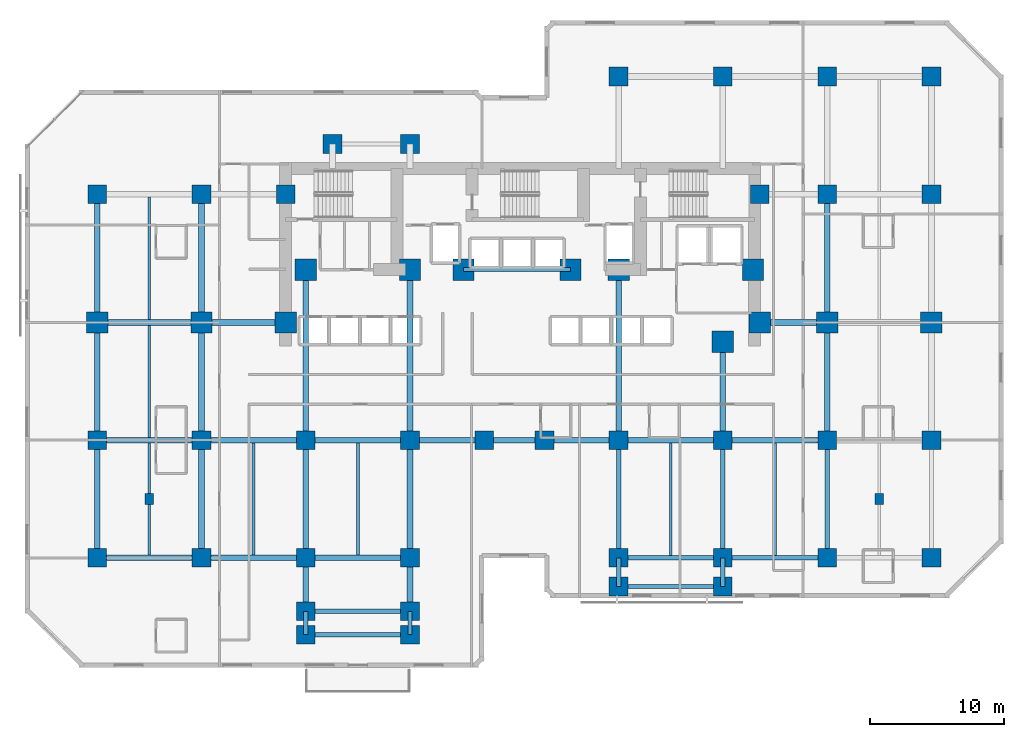
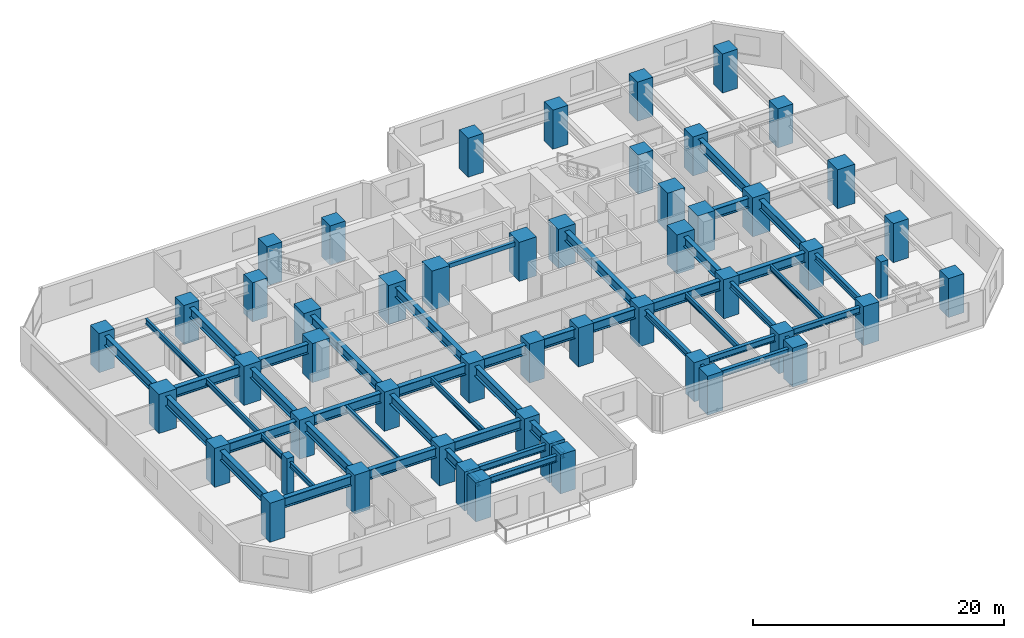
# One storey, part 1 of 11: 51 columns, 50 beams.
"""IFC4 building model written with IfcOpenShell, lengths in metres."""

from ifc_helpers import new_model, si_unit, direction, frame, origin, origin_2d, place, context, subcontext, project, spatial, rectangle, i_section, extrude, material, material_profile, profile_set, type_object, element, save


model = new_model("IFC4")

# Units and contexts
model_context = context("Model", 3, precision=1e-05, world=origin(), true_north=direction((0.0, 1.0)))
body_context = subcontext(model_context, "Body", "Model", "MODEL_VIEW")
ifc_project = project(units=[si_unit("LENGTHUNIT", "METRE"), si_unit("AREAUNIT", "SQUARE_METRE"), si_unit("VOLUMEUNIT", "CUBIC_METRE"), si_unit("PLANEANGLEUNIT", "RADIAN"), si_unit("MASSUNIT", "GRAM", prefix="KILO")], contexts=[model_context])

# Site, building, storey
site_placement = place(None, origin())
site = spatial("IfcSite", under=ifc_project, at=site_placement, CompositionType="ELEMENT")
building_placement = place(site_placement, origin())
building = spatial("IfcBuilding", under=site, at=building_placement, Name="Kestravale Grand Hotel", CompositionType="ELEMENT")
storey_placement = place(building_placement, frame((0.0, 0.0, 71.60009765625)))
storey = spatial("IfcBuildingStorey", under=building, at=storey_placement, Name="L17", CompositionType="ELEMENT", Elevation=71.60009765625)

# Columns
ifc_material_1 = material(Name="Concrete f'c 70 MPa", Category="concrete")
ifc_material_profile_1 = material_profile(ifc_material_1, rectangle(XDim=1.39990234375, YDim=1.39990234375, at=origin_2d()))
ifc_profile_set_1 = profile_set([ifc_material_profile_1], Name="Concrete f'c 70 MPa")
column_type_1 = type_object("IfcColumnType", Name="C-Z1-1400", PredefinedType="COLUMN", material=ifc_profile_set_1)
for number, where, z_axis, x_axis, name in (
    (1, (7.800048828125, 11.199951171875, 0.0), (0.0, 0.0, 1.0), (1.0, 0.0, 0.0), "L17 column 2-C"),
    (2, (7.800048828125, 20.0, 0.0), (0.0, 0.0, 1.0), (1.0, 0.0, 0.0), "L17 column 2-D"),
    (3, (7.800048828125, 38.39990234375, 0.0), (0.0, 0.0, 1.0), (1.0, 0.0, 0.0), "L17 column 2-F"),
    (4, (15.60009765625, 11.199951171875, 0.0), (0.0, 0.0, 1.0), (1.0, 0.0, 0.0), "L17 column 3-C"),
    (5, (15.60009765625, 20.0, 0.0), (0.0, 0.0, 1.0), (1.0, 0.0, 0.0), "L17 column 3-D"),
    (6, (15.60009765625, 38.39990234375, 0.0), (0.0, 0.0, 1.0), (1.0, 0.0, 0.0), "L17 column 3-F"),
    (7, (23.39990234375, 11.199951171875, 0.0), (0.0, 0.0, 1.0), (1.0, 0.0, 0.0), "L17 column 4-C"),
    (8, (23.39990234375, 20.0, 0.0), (0.0, 0.0, 1.0), (1.0, 0.0, 0.0), "L17 column 4-D"),
    (9, (31.199951171875, 11.199951171875, 0.0), (0.0, 0.0, 1.0), (1.0, 0.0, 0.0), "L17 column 5-C"),
    (10, (31.199951171875, 20.0, 0.0), (0.0, 0.0, 1.0), (1.0, 0.0, 0.0), "L17 column 5-D"),
    (11, (36.75, 20.0, 0.0), (0.0, 0.0, 1.0), (1.0, 0.0, 0.0), "L17 column 6-D"),
    (12, (41.25, 20.0, 0.0), (0.0, 0.0, 1.0), (1.0, 0.0, 0.0), "L17 column 7-D"),
    (13, (46.800048828125, 11.199951171875, 0.0), (0.0, 0.0, 1.0), (1.0, 0.0, 0.0), "L17 column 8-C"),
    (14, (46.800048828125, 20.0, 0.0), (0.0, 0.0, 1.0), (1.0, 0.0, 0.0), "L17 column 8-D"),
    (15, (46.800048828125, 47.199951171875, 0.0), (0.0, 0.0, 1.0), (1.0, 0.0, 0.0), "L17 column 8-G"),
    (16, (54.60009765625, 11.199951171875, 0.0), (0.0, 0.0, 1.0), (1.0, 0.0, 0.0), "L17 column 9-C"),
    (17, (54.60009765625, 20.0, 0.0), (0.0, 0.0, 1.0), (1.0, 0.0, 0.0), "L17 column 9-D"),
    (18, (54.60009765625, 47.199951171875, 0.0), (0.0, 0.0, 1.0), (1.0, 0.0, 0.0), "L17 column 9-G"),
    (19, (62.39990234375, 11.199951171875, 0.0), (0.0, 0.0, 1.0), (1.0, 0.0, 0.0), "L17 column 10-C"),
    (20, (62.39990234375, 20.0, 0.0), (0.0, 0.0, 1.0), (1.0, 0.0, 0.0), "L17 column 10-D"),
    (21, (62.39990234375, 38.39990234375, 0.0), (0.0, 0.0, 1.0), (1.0, 0.0, 0.0), "L17 column 10-F"),
    (22, (62.39990234375, 47.199951171875, 0.0), (0.0, 0.0, 1.0), (1.0, 0.0, 0.0), "L17 column 10-G"),
    (23, (70.199951171875, 11.199951171875, 0.0), (0.0, 0.0, 1.0), (1.0, 0.0, 0.0), "L17 column 11-C"),
    (24, (70.199951171875, 20.0, 0.0), (0.0, 0.0, 1.0), (1.0, 0.0, 0.0), "L17 column 11-D"),
    (25, (70.199951171875, 38.39990234375, 0.0), (0.0, 0.0, 1.0), (1.0, 0.0, 0.0), "L17 column 11-F"),
    (26, (70.199951171875, 47.199951171875, 0.0), (0.0, 0.0, 1.0), (1.0, 0.0, 0.0), "L17 column 11-G"),
    (27, (21.89990234375, 38.39990234375, 0.0), (0.0, 0.0, 1.0), (1.0, 0.0, 0.0), "L17 column CW-F"),
    (28, (57.35009765625, 38.39990234375, 0.0), (0.0, 0.0, 1.0), (1.0, 0.0, 0.0), "L17 column CE-F"),
    (29, (23.39990234375, 7.199951171875, 0.0), (0.0, 0.0, 1.0), (1.0, 0.0, 0.0), "L17 column 4-BS"),
    (30, (31.199951171875, 7.199951171875, 0.0), (0.0, 0.0, 1.0), (1.0, 0.0, 0.0), "L17 column 5-BS"),
    (31, (25.39990234375, 42.14990234375, 0.0), (0.0, 0.0, 1.0), (1.0, 0.0, 0.0), "L17 column 4-FN"),
    (32, (31.199951171875, 42.14990234375, 0.0), (0.0, 0.0, 1.0), (1.0, 0.0, 0.0), "L17 column 5-FN"),
    (33, (23.39990234375, 5.449951171875, 0.0), (0.0, 0.0, 1.0), (1.0, 0.0, 0.0), "L17 column 4-B1S"),
    (34, (31.199951171875, 5.449951171875, 0.0), (0.0, 0.0, 1.0), (1.0, 0.0, 0.0), "L17 column 5-B1S"),
    (35, (46.800048828125, 9.050048828125, 0.0), (0.0, 0.0, 1.0), (1.0, 0.0, 0.0), "L17 column 8-B1E"),
    (36, (54.60009765625, 9.050048828125, 0.0), (0.0, 0.0, 1.0), (1.0, 0.0, 0.0), "L17 column 9-B1E"),
):
    element("IfcColumn", number, at=place(storey_placement, frame(where, z_axis=z_axis, x_axis=x_axis)), inside=storey, type_object=column_type_1, Name=name, PredefinedType="COLUMN", context=body_context, shape_type="SweptSolid", body=[
        extrude(rectangle(XDim=1.39990234375, YDim=1.39990234375, at=origin_2d()), origin(), (0.0, 0.0, 1.0), 3.7998046875),
    ])
ifc_material_2 = material(Name="Concrete f'c 70 MPa", Category="concrete")
ifc_material_profile_2 = material_profile(ifc_material_2, rectangle(XDim=1.60009765625, YDim=1.60009765625, at=origin_2d()))
ifc_profile_set_2 = profile_set([ifc_material_profile_2], Name="Concrete f'c 70 MPa")
column_type_2 = type_object("IfcColumnType", Name="C-Z1-1600", PredefinedType="COLUMN", material=ifc_profile_set_2)
for number, where, z_axis, x_axis, name in (
    (37, (7.800048828125, 28.800048828125, 0.0), (0.0, 0.0, 1.0), (1.0, 0.0, 0.0), "L17 column 2-E"),
    (38, (15.60009765625, 28.800048828125, 0.0), (0.0, 0.0, 1.0), (1.0, 0.0, 0.0), "L17 column 3-E"),
    (39, (62.39990234375, 28.800048828125, 0.0), (0.0, 0.0, 1.0), (1.0, 0.0, 0.0), "L17 column 10-E"),
    (40, (70.199951171875, 28.800048828125, 0.0), (0.0, 0.0, 1.0), (1.0, 0.0, 0.0), "L17 column 11-E"),
    (41, (21.89990234375, 28.800048828125, 0.0), (0.0, 0.0, 1.0), (1.0, 0.0, 0.0), "L17 column CW-E"),
    (42, (57.35009765625, 28.800048828125, 0.0), (0.0, 0.0, 1.0), (1.0, 0.0, 0.0), "L17 column CE-E"),
    (43, (23.39990234375, 32.75, 0.0), (0.0, 0.0, 1.0), (1.0, 0.0, 0.0), "L17 column 4-CS"),
    (44, (31.199951171875, 32.75, 0.0), (0.0, 0.0, 1.0), (1.0, 0.0, 0.0), "L17 column 5-CS"),
    (45, (35.199951171875, 32.75, 0.0), (0.0, 0.0, 1.0), (1.0, 0.0, 0.0), "L17 column 6C-CS"),
    (46, (43.199951171875, 32.75, 0.0), (0.0, 0.0, 1.0), (1.0, 0.0, 0.0), "L17 column 7C-CS"),
    (47, (46.800048828125, 32.75, 0.0), (0.0, 0.0, 1.0), (1.0, 0.0, 0.0), "L17 column 8-CS"),
    (48, (54.60009765625, 27.35009765625, 0.0), (0.0, 0.0, 1.0), (1.0, 0.0, 0.0), "L17 column 9-CS"),
    (49, (56.85009765625, 32.75, 0.0), (0.0, 0.0, 1.0), (1.0, 0.0, 0.0), "L17 column 9C-CS"),
):
    element("IfcColumn", number, at=place(storey_placement, frame(where, z_axis=z_axis, x_axis=x_axis)), inside=storey, type_object=column_type_2, Name=name, PredefinedType="COLUMN", context=body_context, shape_type="SweptSolid", body=[
        extrude(rectangle(XDim=1.60009765625, YDim=1.60009765625, at=origin_2d()), origin(), (0.0, 0.0, 1.0), 3.7998046875),
    ])
ifc_material_3 = material(Name="Precast concrete f'c 45 MPa", Category="concrete")
ifc_material_profile_3 = material_profile(ifc_material_3, rectangle(XDim=0.64990234375, YDim=0.85009765625, at=origin_2d()))
ifc_profile_set_3 = profile_set([ifc_material_profile_3], Name="Precast concrete f'c 45 MPa")
column_type_3 = type_object("IfcColumnType", Name="C-Z1-PIL850", PredefinedType="PILASTER", material=ifc_profile_set_3)
for number, where, z_axis, x_axis, name in (
    (50, (11.699951171875, 15.60009765625, 0.0), (0.0, 0.0, 1.0), (1.0, 0.0, 0.0), "L17 Art Deco fluted pilaster P1"),
    (51, (66.300048828125, 15.60009765625, 0.0), (0.0, 0.0, 1.0), (1.0, 0.0, 0.0), "L17 Art Deco fluted pilaster P2"),
):
    element("IfcColumn", number, at=place(storey_placement, frame(where, z_axis=z_axis, x_axis=x_axis)), inside=storey, type_object=column_type_3, Name=name, PredefinedType="PILASTER", context=body_context, shape_type="SweptSolid", body=[
        extrude(rectangle(XDim=0.64990234375, YDim=0.85009765625, at=origin_2d()), origin(), (0.0, 0.0, 1.0), 3.7998046875),
    ])

# Beams
ifc_material_4 = material(Name="Steel ASTM A992 Grade 50", Category="steel")
ifc_material_profile_4 = material_profile(ifc_material_4, i_section(OverallWidth=0.2099609375, OverallDepth=0.535888671875, WebThickness=0.010986328125, FlangeThickness=0.017333984375, FilletRadius=0.017578125, at=origin_2d()))
ifc_profile_set_4 = profile_set([ifc_material_profile_4], Name="Steel ASTM A992 Grade 50")
beam_type_1 = type_object("IfcBeamType", Name="B-FLR-JST21", PredefinedType="JOIST", material=ifc_profile_set_4)
for number, where, z_axis, x_axis, name in (
    (52, (11.699951171875, 11.412109375, 3.15185546875), (0.0, 1.0, 0.0), (-1.0, 0.0, 0.0), "L17 floor joist 2-3/C-D #1"),
    (53, (11.699951171875, 20.2119140625, 3.15185546875), (0.0, 1.0, 0.0), (-1.0, 0.0, 0.0), "L17 floor joist 2-3/D-E #1"),
):
    element("IfcBeam", number, at=place(storey_placement, frame(where, z_axis=z_axis, x_axis=x_axis)), inside=storey, type_object=beam_type_1, Name=name, PredefinedType="JOIST", context=body_context, shape_type="SweptSolid", body=[
        extrude(i_section(OverallWidth=0.2099609375, OverallDepth=0.535888671875, WebThickness=0.010986328125, FlangeThickness=0.017333984375, FilletRadius=0.017578125, at=origin_2d()), origin(), (0.0, 0.0, 1.0), 8.3759765625),
    ])
beam_1_placement = place(storey_placement, frame((11.699951171875, 29.011962890625, 3.15185546875), z_axis=(0.0, 1.0, 0.0), x_axis=(-1.0, 0.0, 0.0)))
element("IfcBeam", 54, at=beam_1_placement, inside=storey, type_object=beam_type_1, Name="L17 floor joist 2-3/E-F #1", PredefinedType="JOIST", context=body_context, shape_type="SweptSolid", body=[
    extrude(i_section(OverallWidth=0.2099609375, OverallDepth=0.535888671875, WebThickness=0.010986328125, FlangeThickness=0.017333984375, FilletRadius=0.017578125, at=origin_2d()), origin(), (0.0, 0.0, 1.0), 9.176025390625),
])
for number, where, z_axis, x_axis, name in (
    (55, (19.5, 11.412109375, 3.15185546875), (0.0, 1.0, 0.0), (-1.0, 0.0, 0.0), "L17 floor joist 3-4/C-D #1"),
    (56, (27.300048828125, 11.412109375, 3.15185546875), (0.0, 1.0, 0.0), (-1.0, 0.0, 0.0), "L17 floor joist 4-5/C-D #1"),
):
    element("IfcBeam", number, at=place(storey_placement, frame(where, z_axis=z_axis, x_axis=x_axis)), inside=storey, type_object=beam_type_1, Name=name, PredefinedType="JOIST", context=body_context, shape_type="SweptSolid", body=[
        extrude(i_section(OverallWidth=0.2099609375, OverallDepth=0.535888671875, WebThickness=0.010986328125, FlangeThickness=0.017333984375, FilletRadius=0.017578125, at=origin_2d()), origin(), (0.0, 0.0, 1.0), 8.3759765625),
    ])
for number, where, z_axis, x_axis, name in (
    (57, (50.699951171875, 11.362548828125, 3.15185546875), (0.0, 1.0, 0.0), (-1.0, 0.0, 0.0), "L17 floor joist 8-9/C-D #1"),
    (58, (58.5, 11.362548828125, 3.15185546875), (0.0, 1.0, 0.0), (-1.0, 0.0, 0.0), "L17 floor joist 9-10/C-D #1"),
):
    element("IfcBeam", number, at=place(storey_placement, frame(where, z_axis=z_axis, x_axis=x_axis)), inside=storey, type_object=beam_type_1, Name=name, PredefinedType="JOIST", context=body_context, shape_type="SweptSolid", body=[
        extrude(i_section(OverallWidth=0.2099609375, OverallDepth=0.535888671875, WebThickness=0.010986328125, FlangeThickness=0.017333984375, FilletRadius=0.017578125, at=origin_2d()), origin(), (0.0, 0.0, 1.0), 8.425537109375),
    ])
ifc_material_5 = material(Name="Concrete f'c 45 MPa", Category="concrete")
ifc_material_profile_5 = material_profile(ifc_material_5, rectangle(XDim=0.300048828125, YDim=0.39990234375, at=origin_2d()))
ifc_profile_set_5 = profile_set([ifc_material_profile_5], Name="Concrete f'c 45 MPa")
beam_type_2 = type_object("IfcBeamType", Name="B-FLR-LNT400", PredefinedType="LINTEL", material=ifc_profile_set_5)
beam_2_placement = place(storey_placement, frame((35.199951171875, 32.75, 3.219970703125), z_axis=(1.0, 0.0, 0.0), x_axis=(0.0, 1.0, 0.0)))
element("IfcBeam", 59, at=beam_2_placement, inside=storey, type_object=beam_type_2, Name="L17 core portal header lintel", PredefinedType="LINTEL", context=body_context, shape_type="SweptSolid", body=[
    extrude(rectangle(XDim=0.300048828125, YDim=0.39990234375, at=origin_2d()), origin(), (0.0, 0.0, 1.0), 8.0),
])
ifc_material_6 = material(Name="Steel ASTM A992 Grade 50", Category="steel")
ifc_material_profile_6 = material_profile(ifc_material_6, i_section(OverallWidth=0.324951171875, OverallDepth=0.612060546875, WebThickness=0.0126953125, FlangeThickness=0.01904296875, FilletRadius=0.018798828125, at=origin_2d()))
ifc_profile_set_6 = profile_set([ifc_material_profile_6], Name="Steel ASTM A992 Grade 50")
beam_type_3 = type_object("IfcBeamType", Name="B-FLR-W24A", PredefinedType="SPANDREL", material=ifc_profile_set_6)
beam_3_placement = place(storey_placement, frame((46.800048828125, 11.199951171875, 3.114013671875), z_axis=(1.0, 0.0, 0.0), x_axis=(0.0, 1.0, 0.0)))
element("IfcBeam", 60, at=beam_3_placement, inside=storey, type_object=beam_type_3, Name="L17 spandrel C:8-9", PredefinedType="SPANDREL", context=body_context, shape_type="SweptSolid", body=[
    extrude(i_section(OverallWidth=0.324951171875, OverallDepth=0.612060546875, WebThickness=0.0126953125, FlangeThickness=0.01904296875, FilletRadius=0.018798828125, at=origin_2d()), origin(), (0.0, 0.0, 1.0), 7.800048828125),
])
beam_4_placement = place(storey_placement, frame((54.60009765625, 11.199951171875, 3.114013671875), z_axis=(1.0, 0.0, 0.0), x_axis=(0.0, 1.0, 0.0)))
element("IfcBeam", 61, at=beam_4_placement, inside=storey, type_object=beam_type_3, Name="L17 spandrel C:9-10", PredefinedType="SPANDREL", context=body_context, shape_type="SweptSolid", body=[
    extrude(i_section(OverallWidth=0.324951171875, OverallDepth=0.612060546875, WebThickness=0.0126953125, FlangeThickness=0.01904296875, FilletRadius=0.018798828125, at=origin_2d()), origin(), (0.0, 0.0, 1.0), 7.7998046875),
])
for number, where, z_axis, x_axis, name in (
    (62, (23.39990234375, 5.449951171875, 3.114013671875), (1.0, 0.0, 0.0), (0.0, 1.0, 0.0), "L17 perimeter tie spandrel B1S:4-5"),
    (63, (46.800048828125, 9.050048828125, 3.114013671875), (1.0, 0.0, 0.0), (0.0, 1.0, 0.0), "L17 perimeter tie spandrel B1E:8-9"),
    (64, (23.39990234375, 7.199951171875, 3.114013671875), (1.0, 0.0, 0.0), (0.0, 1.0, 0.0), "L17 perimeter tie spandrel BS:4-5"),
):
    element("IfcBeam", number, at=place(storey_placement, frame(where, z_axis=z_axis, x_axis=x_axis)), inside=storey, type_object=beam_type_3, Name=name, PredefinedType="SPANDREL", context=body_context, shape_type="SweptSolid", body=[
        extrude(i_section(OverallWidth=0.324951171875, OverallDepth=0.612060546875, WebThickness=0.0126953125, FlangeThickness=0.01904296875, FilletRadius=0.018798828125, at=origin_2d()), origin(), (0.0, 0.0, 1.0), 7.800048828125),
    ])
for number, where, z_axis, x_axis, name in (
    (65, (23.39990234375, 5.449951171875, 3.114013671875), (0.0, 1.0, 0.0), (-1.0, 0.0, 0.0), "L17 spandrel 4:B1S-BS"),
    (66, (31.199951171875, 5.449951171875, 3.114013671875), (0.0, 1.0, 0.0), (-1.0, 0.0, 0.0), "L17 spandrel 5:B1S-BS"),
):
    element("IfcBeam", number, at=place(storey_placement, frame(where, z_axis=z_axis, x_axis=x_axis)), inside=storey, type_object=beam_type_3, Name=name, PredefinedType="SPANDREL", context=body_context, shape_type="SweptSolid", body=[
        extrude(i_section(OverallWidth=0.324951171875, OverallDepth=0.612060546875, WebThickness=0.0126953125, FlangeThickness=0.01904296875, FilletRadius=0.018798828125, at=origin_2d()), origin(), (0.0, 0.0, 1.0), 1.75),
    ])
beam_5_placement = place(storey_placement, frame((46.800048828125, 9.050048828125, 3.114013671875), z_axis=(0.0, 1.0, 0.0), x_axis=(-1.0, 0.0, 0.0)))
element("IfcBeam", 67, at=beam_5_placement, inside=storey, type_object=beam_type_3, Name="L17 spandrel 8:B1E-C", PredefinedType="SPANDREL", context=body_context, shape_type="SweptSolid", body=[
    extrude(i_section(OverallWidth=0.324951171875, OverallDepth=0.612060546875, WebThickness=0.0126953125, FlangeThickness=0.01904296875, FilletRadius=0.018798828125, at=origin_2d()), origin(), (0.0, 0.0, 1.0), 2.14990234375),
])
beam_6_placement = place(storey_placement, frame((46.800048828125, 11.199951171875, 3.114013671875), z_axis=(0.0, 1.0, 0.0), x_axis=(-1.0, 0.0, 0.0)))
element("IfcBeam", 68, at=beam_6_placement, inside=storey, type_object=beam_type_3, Name="L17 spandrel 8:C-D", PredefinedType="SPANDREL", context=body_context, shape_type="SweptSolid", body=[
    extrude(i_section(OverallWidth=0.324951171875, OverallDepth=0.612060546875, WebThickness=0.0126953125, FlangeThickness=0.01904296875, FilletRadius=0.018798828125, at=origin_2d()), origin(), (0.0, 0.0, 1.0), 8.800048828125),
])
beam_7_placement = place(storey_placement, frame((54.60009765625, 9.050048828125, 3.114013671875), z_axis=(0.0, 1.0, 0.0), x_axis=(-1.0, 0.0, 0.0)))
element("IfcBeam", 69, at=beam_7_placement, inside=storey, type_object=beam_type_3, Name="L17 spandrel 9:B1E-C", PredefinedType="SPANDREL", context=body_context, shape_type="SweptSolid", body=[
    extrude(i_section(OverallWidth=0.324951171875, OverallDepth=0.612060546875, WebThickness=0.0126953125, FlangeThickness=0.01904296875, FilletRadius=0.018798828125, at=origin_2d()), origin(), (0.0, 0.0, 1.0), 2.14990234375),
])
for number, where, z_axis, x_axis, name in (
    (70, (54.60009765625, 11.199951171875, 3.114013671875), (0.0, 1.0, 0.0), (-1.0, 0.0, 0.0), "L17 spandrel 9:C-D"),
    (71, (62.39990234375, 11.199951171875, 3.114013671875), (0.0, 1.0, 0.0), (-1.0, 0.0, 0.0), "L17 spandrel 10:C-D"),
):
    element("IfcBeam", number, at=place(storey_placement, frame(where, z_axis=z_axis, x_axis=x_axis)), inside=storey, type_object=beam_type_3, Name=name, PredefinedType="SPANDREL", context=body_context, shape_type="SweptSolid", body=[
        extrude(i_section(OverallWidth=0.324951171875, OverallDepth=0.612060546875, WebThickness=0.0126953125, FlangeThickness=0.01904296875, FilletRadius=0.018798828125, at=origin_2d()), origin(), (0.0, 0.0, 1.0), 8.800048828125),
    ])
ifc_material_7 = material(Name="Steel ASTM A992 Grade 50", Category="steel")
ifc_material_profile_7 = material_profile(ifc_material_7, i_section(OverallWidth=0.424072265625, OverallDepth=0.947021484375, WebThickness=0.02392578125, FlangeThickness=0.042724609375, FilletRadius=0.0283203125, at=origin_2d()))
ifc_profile_set_7 = profile_set([ifc_material_profile_7], Name="Steel ASTM A992 Grade 50")
beam_type_4 = type_object("IfcBeamType", Name="B-GRD-W36", PredefinedType="BEAM", material=ifc_profile_set_7)
beam_8_placement = place(storey_placement, frame((7.800048828125, 11.199951171875, 2.9462890625), z_axis=(1.0, 0.0, 0.0), x_axis=(0.0, 1.0, 0.0)))
element("IfcBeam", 72, at=beam_8_placement, inside=storey, type_object=beam_type_4, Name="L17 girder C:2-3", PredefinedType="BEAM", context=body_context, shape_type="SweptSolid", body=[
    extrude(i_section(OverallWidth=0.424072265625, OverallDepth=0.947021484375, WebThickness=0.02392578125, FlangeThickness=0.042724609375, FilletRadius=0.0283203125, at=origin_2d()), origin(), (0.0, 0.0, 1.0), 7.800048828125),
])
beam_9_placement = place(storey_placement, frame((15.60009765625, 11.199951171875, 2.9462890625), z_axis=(1.0, 0.0, 0.0), x_axis=(0.0, 1.0, 0.0)))
element("IfcBeam", 73, at=beam_9_placement, inside=storey, type_object=beam_type_4, Name="L17 girder C:3-4", PredefinedType="BEAM", context=body_context, shape_type="SweptSolid", body=[
    extrude(i_section(OverallWidth=0.424072265625, OverallDepth=0.947021484375, WebThickness=0.02392578125, FlangeThickness=0.042724609375, FilletRadius=0.0283203125, at=origin_2d()), origin(), (0.0, 0.0, 1.0), 7.7998046875),
])
for number, where, z_axis, x_axis, name in (
    (74, (23.39990234375, 11.199951171875, 2.9462890625), (1.0, 0.0, 0.0), (0.0, 1.0, 0.0), "L17 girder C:4-5"),
    (75, (7.800048828125, 20.0, 2.9462890625), (1.0, 0.0, 0.0), (0.0, 1.0, 0.0), "L17 girder D:2-3"),
):
    element("IfcBeam", number, at=place(storey_placement, frame(where, z_axis=z_axis, x_axis=x_axis)), inside=storey, type_object=beam_type_4, Name=name, PredefinedType="BEAM", context=body_context, shape_type="SweptSolid", body=[
        extrude(i_section(OverallWidth=0.424072265625, OverallDepth=0.947021484375, WebThickness=0.02392578125, FlangeThickness=0.042724609375, FilletRadius=0.0283203125, at=origin_2d()), origin(), (0.0, 0.0, 1.0), 7.800048828125),
    ])
beam_10_placement = place(storey_placement, frame((15.60009765625, 20.0, 2.9462890625), z_axis=(1.0, 0.0, 0.0), x_axis=(0.0, 1.0, 0.0)))
element("IfcBeam", 76, at=beam_10_placement, inside=storey, type_object=beam_type_4, Name="L17 girder D:3-4", PredefinedType="BEAM", context=body_context, shape_type="SweptSolid", body=[
    extrude(i_section(OverallWidth=0.424072265625, OverallDepth=0.947021484375, WebThickness=0.02392578125, FlangeThickness=0.042724609375, FilletRadius=0.0283203125, at=origin_2d()), origin(), (0.0, 0.0, 1.0), 7.7998046875),
])
beam_11_placement = place(storey_placement, frame((23.39990234375, 20.0, 2.9462890625), z_axis=(1.0, 0.0, 0.0), x_axis=(0.0, 1.0, 0.0)))
element("IfcBeam", 77, at=beam_11_placement, inside=storey, type_object=beam_type_4, Name="L17 girder D:4-5", PredefinedType="BEAM", context=body_context, shape_type="SweptSolid", body=[
    extrude(i_section(OverallWidth=0.424072265625, OverallDepth=0.947021484375, WebThickness=0.02392578125, FlangeThickness=0.042724609375, FilletRadius=0.0283203125, at=origin_2d()), origin(), (0.0, 0.0, 1.0), 7.800048828125),
])
beam_12_placement = place(storey_placement, frame((31.199951171875, 20.0, 2.9462890625), z_axis=(1.0, 0.0, 0.0), x_axis=(0.0, 1.0, 0.0)))
element("IfcBeam", 78, at=beam_12_placement, inside=storey, type_object=beam_type_4, Name="L17 girder D:5-6", PredefinedType="BEAM", context=body_context, shape_type="SweptSolid", body=[
    extrude(i_section(OverallWidth=0.424072265625, OverallDepth=0.947021484375, WebThickness=0.02392578125, FlangeThickness=0.042724609375, FilletRadius=0.0283203125, at=origin_2d()), origin(), (0.0, 0.0, 1.0), 5.550048828125),
])
beam_13_placement = place(storey_placement, frame((36.75, 20.0, 2.9462890625), z_axis=(1.0, 0.0, 0.0), x_axis=(0.0, 1.0, 0.0)))
element("IfcBeam", 79, at=beam_13_placement, inside=storey, type_object=beam_type_4, Name="L17 girder D:6-7", PredefinedType="BEAM", context=body_context, shape_type="SweptSolid", body=[
    extrude(i_section(OverallWidth=0.424072265625, OverallDepth=0.947021484375, WebThickness=0.02392578125, FlangeThickness=0.042724609375, FilletRadius=0.0283203125, at=origin_2d()), origin(), (0.0, 0.0, 1.0), 4.5),
])
beam_14_placement = place(storey_placement, frame((41.25, 20.0, 2.9462890625), z_axis=(1.0, 0.0, 0.0), x_axis=(0.0, 1.0, 0.0)))
element("IfcBeam", 80, at=beam_14_placement, inside=storey, type_object=beam_type_4, Name="L17 girder D:7-8", PredefinedType="BEAM", context=body_context, shape_type="SweptSolid", body=[
    extrude(i_section(OverallWidth=0.424072265625, OverallDepth=0.947021484375, WebThickness=0.02392578125, FlangeThickness=0.042724609375, FilletRadius=0.0283203125, at=origin_2d()), origin(), (0.0, 0.0, 1.0), 5.550048828125),
])
beam_15_placement = place(storey_placement, frame((46.800048828125, 20.0, 2.9462890625), z_axis=(1.0, 0.0, 0.0), x_axis=(0.0, 1.0, 0.0)))
element("IfcBeam", 81, at=beam_15_placement, inside=storey, type_object=beam_type_4, Name="L17 girder D:8-9", PredefinedType="BEAM", context=body_context, shape_type="SweptSolid", body=[
    extrude(i_section(OverallWidth=0.424072265625, OverallDepth=0.947021484375, WebThickness=0.02392578125, FlangeThickness=0.042724609375, FilletRadius=0.0283203125, at=origin_2d()), origin(), (0.0, 0.0, 1.0), 7.800048828125),
])
beam_16_placement = place(storey_placement, frame((54.60009765625, 20.0, 2.9462890625), z_axis=(1.0, 0.0, 0.0), x_axis=(0.0, 1.0, 0.0)))
element("IfcBeam", 82, at=beam_16_placement, inside=storey, type_object=beam_type_4, Name="L17 girder D:9-10", PredefinedType="BEAM", context=body_context, shape_type="SweptSolid", body=[
    extrude(i_section(OverallWidth=0.424072265625, OverallDepth=0.947021484375, WebThickness=0.02392578125, FlangeThickness=0.042724609375, FilletRadius=0.0283203125, at=origin_2d()), origin(), (0.0, 0.0, 1.0), 7.7998046875),
])
beam_17_placement = place(storey_placement, frame((7.800048828125, 28.800048828125, 2.9462890625), z_axis=(1.0, 0.0, 0.0), x_axis=(0.0, 1.0, 0.0)))
element("IfcBeam", 83, at=beam_17_placement, inside=storey, type_object=beam_type_4, Name="L17 girder E:2-3", PredefinedType="BEAM", context=body_context, shape_type="SweptSolid", body=[
    extrude(i_section(OverallWidth=0.424072265625, OverallDepth=0.947021484375, WebThickness=0.02392578125, FlangeThickness=0.042724609375, FilletRadius=0.0283203125, at=origin_2d()), origin(), (0.0, 0.0, 1.0), 7.800048828125),
])
beam_18_placement = place(storey_placement, frame((15.60009765625, 28.800048828125, 2.9462890625), z_axis=(1.0, 0.0, 0.0), x_axis=(0.0, 1.0, 0.0)))
element("IfcBeam", 84, at=beam_18_placement, inside=storey, type_object=beam_type_4, Name="L17 girder E:3-CW", PredefinedType="BEAM", context=body_context, shape_type="SweptSolid", body=[
    extrude(i_section(OverallWidth=0.424072265625, OverallDepth=0.947021484375, WebThickness=0.02392578125, FlangeThickness=0.042724609375, FilletRadius=0.0283203125, at=origin_2d()), origin(), (0.0, 0.0, 1.0), 6.2998046875),
])
beam_19_placement = place(storey_placement, frame((57.35009765625, 28.800048828125, 2.9462890625), z_axis=(1.0, 0.0, 0.0), x_axis=(0.0, 1.0, 0.0)))
element("IfcBeam", 85, at=beam_19_placement, inside=storey, type_object=beam_type_4, Name="L17 girder E:CE-10", PredefinedType="BEAM", context=body_context, shape_type="SweptSolid", body=[
    extrude(i_section(OverallWidth=0.424072265625, OverallDepth=0.947021484375, WebThickness=0.02392578125, FlangeThickness=0.042724609375, FilletRadius=0.0283203125, at=origin_2d()), origin(), (0.0, 0.0, 1.0), 5.0498046875),
])
for number, where, z_axis, x_axis, name in (
    (86, (7.800048828125, 11.199951171875, 2.9462890625), (0.0, 1.0, 0.0), (-1.0, 0.0, 0.0), "L17 girder 2:C-D"),
    (87, (7.800048828125, 20.0, 2.9462890625), (0.0, 1.0, 0.0), (-1.0, 0.0, 0.0), "L17 girder 2:D-E"),
):
    element("IfcBeam", number, at=place(storey_placement, frame(where, z_axis=z_axis, x_axis=x_axis)), inside=storey, type_object=beam_type_4, Name=name, PredefinedType="BEAM", context=body_context, shape_type="SweptSolid", body=[
        extrude(i_section(OverallWidth=0.424072265625, OverallDepth=0.947021484375, WebThickness=0.02392578125, FlangeThickness=0.042724609375, FilletRadius=0.0283203125, at=origin_2d()), origin(), (0.0, 0.0, 1.0), 8.800048828125),
    ])
beam_20_placement = place(storey_placement, frame((7.800048828125, 28.800048828125, 2.9462890625), z_axis=(0.0, 1.0, 0.0), x_axis=(-1.0, 0.0, 0.0)))
element("IfcBeam", 88, at=beam_20_placement, inside=storey, type_object=beam_type_4, Name="L17 girder 2:E-F", PredefinedType="BEAM", context=body_context, shape_type="SweptSolid", body=[
    extrude(i_section(OverallWidth=0.424072265625, OverallDepth=0.947021484375, WebThickness=0.02392578125, FlangeThickness=0.042724609375, FilletRadius=0.0283203125, at=origin_2d()), origin(), (0.0, 0.0, 1.0), 9.599853515625),
])
for number, where, z_axis, x_axis, name in (
    (89, (15.60009765625, 11.199951171875, 2.9462890625), (0.0, 1.0, 0.0), (-1.0, 0.0, 0.0), "L17 girder 3:C-D"),
    (90, (15.60009765625, 20.0, 2.9462890625), (0.0, 1.0, 0.0), (-1.0, 0.0, 0.0), "L17 girder 3:D-E"),
):
    element("IfcBeam", number, at=place(storey_placement, frame(where, z_axis=z_axis, x_axis=x_axis)), inside=storey, type_object=beam_type_4, Name=name, PredefinedType="BEAM", context=body_context, shape_type="SweptSolid", body=[
        extrude(i_section(OverallWidth=0.424072265625, OverallDepth=0.947021484375, WebThickness=0.02392578125, FlangeThickness=0.042724609375, FilletRadius=0.0283203125, at=origin_2d()), origin(), (0.0, 0.0, 1.0), 8.800048828125),
    ])
beam_21_placement = place(storey_placement, frame((15.60009765625, 28.800048828125, 2.9462890625), z_axis=(0.0, 1.0, 0.0), x_axis=(-1.0, 0.0, 0.0)))
element("IfcBeam", 91, at=beam_21_placement, inside=storey, type_object=beam_type_4, Name="L17 girder 3:E-F", PredefinedType="BEAM", context=body_context, shape_type="SweptSolid", body=[
    extrude(i_section(OverallWidth=0.424072265625, OverallDepth=0.947021484375, WebThickness=0.02392578125, FlangeThickness=0.042724609375, FilletRadius=0.0283203125, at=origin_2d()), origin(), (0.0, 0.0, 1.0), 9.599853515625),
])
beam_22_placement = place(storey_placement, frame((23.39990234375, 7.199951171875, 2.9462890625), z_axis=(0.0, 1.0, 0.0), x_axis=(-1.0, 0.0, 0.0)))
element("IfcBeam", 92, at=beam_22_placement, inside=storey, type_object=beam_type_4, Name="L17 girder 4:BS-C", PredefinedType="BEAM", context=body_context, shape_type="SweptSolid", body=[
    extrude(i_section(OverallWidth=0.424072265625, OverallDepth=0.947021484375, WebThickness=0.02392578125, FlangeThickness=0.042724609375, FilletRadius=0.0283203125, at=origin_2d()), origin(), (0.0, 0.0, 1.0), 4.0),
])
beam_23_placement = place(storey_placement, frame((23.39990234375, 11.199951171875, 2.9462890625), z_axis=(0.0, 1.0, 0.0), x_axis=(-1.0, 0.0, 0.0)))
element("IfcBeam", 93, at=beam_23_placement, inside=storey, type_object=beam_type_4, Name="L17 girder 4:C-D", PredefinedType="BEAM", context=body_context, shape_type="SweptSolid", body=[
    extrude(i_section(OverallWidth=0.424072265625, OverallDepth=0.947021484375, WebThickness=0.02392578125, FlangeThickness=0.042724609375, FilletRadius=0.0283203125, at=origin_2d()), origin(), (0.0, 0.0, 1.0), 8.800048828125),
])
beam_24_placement = place(storey_placement, frame((23.39990234375, 20.0, 2.9462890625), z_axis=(0.0, 1.0, 0.0), x_axis=(-1.0, 0.0, 0.0)))
element("IfcBeam", 94, at=beam_24_placement, inside=storey, type_object=beam_type_4, Name="L17 girder 4:D-CS", PredefinedType="BEAM", context=body_context, shape_type="SweptSolid", body=[
    extrude(i_section(OverallWidth=0.424072265625, OverallDepth=0.947021484375, WebThickness=0.02392578125, FlangeThickness=0.042724609375, FilletRadius=0.0283203125, at=origin_2d()), origin(), (0.0, 0.0, 1.0), 12.75),
])
beam_25_placement = place(storey_placement, frame((31.199951171875, 7.199951171875, 2.9462890625), z_axis=(0.0, 1.0, 0.0), x_axis=(-1.0, 0.0, 0.0)))
element("IfcBeam", 95, at=beam_25_placement, inside=storey, type_object=beam_type_4, Name="L17 girder 5:BS-C", PredefinedType="BEAM", context=body_context, shape_type="SweptSolid", body=[
    extrude(i_section(OverallWidth=0.424072265625, OverallDepth=0.947021484375, WebThickness=0.02392578125, FlangeThickness=0.042724609375, FilletRadius=0.0283203125, at=origin_2d()), origin(), (0.0, 0.0, 1.0), 4.0),
])
beam_26_placement = place(storey_placement, frame((31.199951171875, 11.199951171875, 2.9462890625), z_axis=(0.0, 1.0, 0.0), x_axis=(-1.0, 0.0, 0.0)))
element("IfcBeam", 96, at=beam_26_placement, inside=storey, type_object=beam_type_4, Name="L17 girder 5:C-D", PredefinedType="BEAM", context=body_context, shape_type="SweptSolid", body=[
    extrude(i_section(OverallWidth=0.424072265625, OverallDepth=0.947021484375, WebThickness=0.02392578125, FlangeThickness=0.042724609375, FilletRadius=0.0283203125, at=origin_2d()), origin(), (0.0, 0.0, 1.0), 8.800048828125),
])
for number, where, z_axis, x_axis, name in (
    (97, (31.199951171875, 20.0, 2.9462890625), (0.0, 1.0, 0.0), (-1.0, 0.0, 0.0), "L17 girder 5:D-CS"),
    (98, (46.800048828125, 20.0, 2.9462890625), (0.0, 1.0, 0.0), (-1.0, 0.0, 0.0), "L17 girder 8:D-CS"),
):
    element("IfcBeam", number, at=place(storey_placement, frame(where, z_axis=z_axis, x_axis=x_axis)), inside=storey, type_object=beam_type_4, Name=name, PredefinedType="BEAM", context=body_context, shape_type="SweptSolid", body=[
        extrude(i_section(OverallWidth=0.424072265625, OverallDepth=0.947021484375, WebThickness=0.02392578125, FlangeThickness=0.042724609375, FilletRadius=0.0283203125, at=origin_2d()), origin(), (0.0, 0.0, 1.0), 12.75),
    ])
beam_27_placement = place(storey_placement, frame((54.60009765625, 20.0, 2.9462890625), z_axis=(0.0, 1.0, 0.0), x_axis=(-1.0, 0.0, 0.0)))
element("IfcBeam", 99, at=beam_27_placement, inside=storey, type_object=beam_type_4, Name="L17 girder 9:D-CS", PredefinedType="BEAM", context=body_context, shape_type="SweptSolid", body=[
    extrude(i_section(OverallWidth=0.424072265625, OverallDepth=0.947021484375, WebThickness=0.02392578125, FlangeThickness=0.042724609375, FilletRadius=0.0283203125, at=origin_2d()), origin(), (0.0, 0.0, 1.0), 7.35009765625),
])
beam_28_placement = place(storey_placement, frame((62.39990234375, 20.0, 2.9462890625), z_axis=(0.0, 1.0, 0.0), x_axis=(-1.0, 0.0, 0.0)))
element("IfcBeam", 100, at=beam_28_placement, inside=storey, type_object=beam_type_4, Name="L17 girder 10:D-E", PredefinedType="BEAM", context=body_context, shape_type="SweptSolid", body=[
    extrude(i_section(OverallWidth=0.424072265625, OverallDepth=0.947021484375, WebThickness=0.02392578125, FlangeThickness=0.042724609375, FilletRadius=0.0283203125, at=origin_2d()), origin(), (0.0, 0.0, 1.0), 8.800048828125),
])
beam_29_placement = place(storey_placement, frame((62.39990234375, 28.800048828125, 2.9462890625), z_axis=(0.0, 1.0, 0.0), x_axis=(-1.0, 0.0, 0.0)))
element("IfcBeam", 101, at=beam_29_placement, inside=storey, type_object=beam_type_4, Name="L17 girder 10:E-F", PredefinedType="BEAM", context=body_context, shape_type="SweptSolid", body=[
    extrude(i_section(OverallWidth=0.424072265625, OverallDepth=0.947021484375, WebThickness=0.02392578125, FlangeThickness=0.042724609375, FilletRadius=0.0283203125, at=origin_2d()), origin(), (0.0, 0.0, 1.0), 9.599853515625),
])

save(model, "model.ifc")
